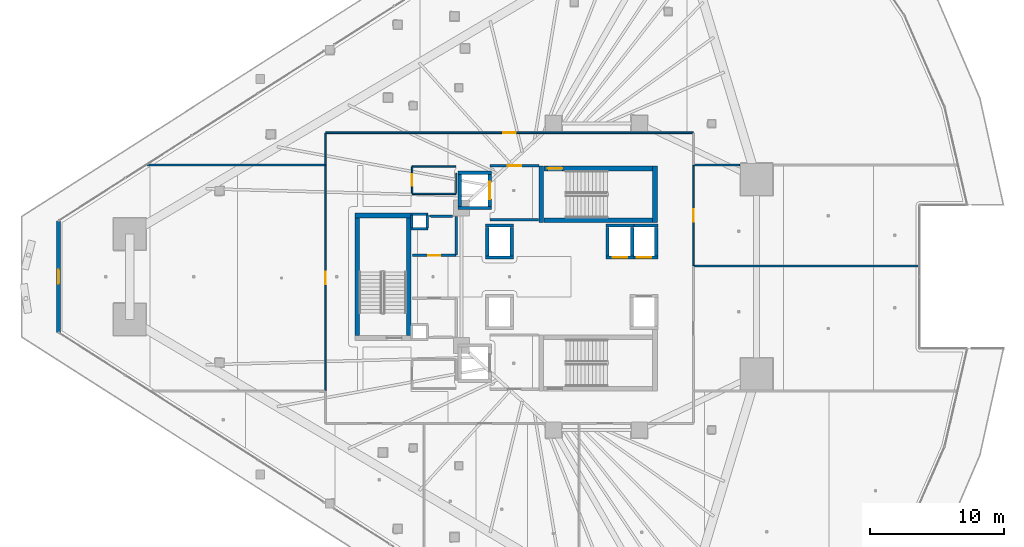
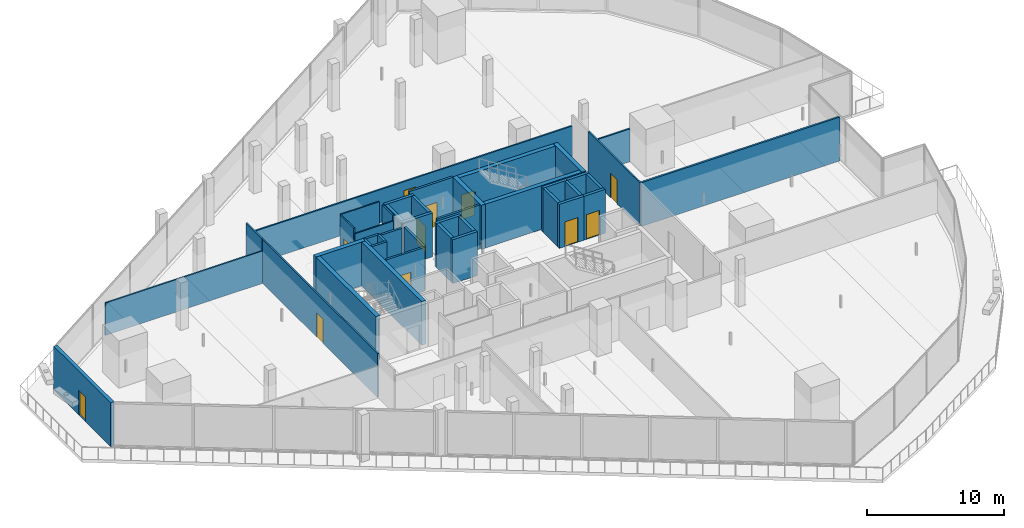
# One storey, part 29 of 44: 43 walls, 11 doors, 11 openings.
"""IFC4 building model written with IfcOpenShell, lengths in metres."""

from ifc_helpers import new_model, si_unit, direction, frame, frame_2d, origin, place, context, subcontext, project, spatial, rectangle, extrude, material, layer, layer_set, type_object, element, fill, save


model = new_model("IFC4")

# Units and contexts
model_context = context("Model", 3, precision=1e-05, world=origin(), true_north=direction((0.0, 1.0)))
body_context = subcontext(model_context, "Body", "Model", "MODEL_VIEW")
ifc_project = project(units=[si_unit("LENGTHUNIT", "METRE"), si_unit("AREAUNIT", "SQUARE_METRE"), si_unit("VOLUMEUNIT", "CUBIC_METRE"), si_unit("PLANEANGLEUNIT", "RADIAN"), si_unit("MASSUNIT", "GRAM", prefix="KILO")], contexts=[model_context])

# Site, building, storey
site_placement = place(None, origin())
site = spatial("IfcSite", under=ifc_project, at=site_placement, CompositionType="ELEMENT")
building_placement = place(site_placement, origin())
building = spatial("IfcBuilding", under=site, at=building_placement, Name="Qorvath Tower", CompositionType="ELEMENT")
storey_placement = place(building_placement, frame((0.0, 0.0, 40.800048828125)))
storey = spatial("IfcBuildingStorey", under=building, at=storey_placement, Name="L08", CompositionType="ELEMENT", Elevation=40.800048828125)

# Walls
ifc_material_1 = material(Name="Gypsum shaftliner on steel studs", Category="steel")
ifc_layer_1 = layer(ifc_material_1, 0.179931640625)
ifc_layer_set_1 = layer_set([ifc_layer_1], Name="FW-LOBBY")
wall_type_1 = type_object("IfcWallType", Name="FW-LOBBY", PredefinedType="PARTITIONING", material=ifc_layer_set_1)
for number, where, z_axis, x_axis, name in (
    (1, (-32.989990234375, 3.594970703125, 0.0), (0.0, 0.0, 1.0), (-1.0, 0.0, 0.0), "MEP Riser Shaft Enclosure Wall N-L08-S"),
    (2, (-34.260009765625, 4.675048828125, 0.0), (0.0, 0.0, 1.0), (1.0, 0.0, 0.0), "MEP Riser Shaft Enclosure Wall N-L08-N"),
):
    element("IfcWall", number, at=place(storey_placement, frame(where, z_axis=z_axis, x_axis=x_axis)), inside=storey, type_object=wall_type_1, Name=name, PredefinedType="PARTITIONING", context=body_context, shape_type="SweptSolid", body=[
        extrude(rectangle(XDim=1.27001953125, YDim=0.179931640625, at=frame_2d((0.635009765625, 0.0))), origin(), (0.0, 0.0, 1.0), 3.919921875),
    ])
for number, where, z_axis, x_axis, name in (
    (3, (-34.205078125, 3.659912109375, 0.0), (0.0, 0.0, 1.0), (0.0, 1.0, 0.0), "MEP Riser Shaft Enclosure Wall N-L08-W"),
    (4, (-33.044921875, 4.610107421875, 0.0), (0.0, 0.0, 1.0), (0.0, -1.0, 0.0), "MEP Riser Shaft Enclosure Wall N-L08-E"),
):
    element("IfcWall", number, at=place(storey_placement, frame(where, z_axis=z_axis, x_axis=x_axis)), inside=storey, type_object=wall_type_1, Name=name, PredefinedType="PARTITIONING", context=body_context, shape_type="SweptSolid", body=[
        extrude(rectangle(XDim=0.9501953125, YDim=0.179931640625, at=frame_2d((0.47509765625, 0.0))), origin(), (0.0, 0.0, 1.0), 3.919921875),
    ])
wall_1_placement = place(storey_placement, frame((-28.35498046875, 4.25, 0.0), z_axis=(0.0, 0.0, 1.0), x_axis=(1.0, 0.0, 0.0)))
element("IfcWall", 5, at=wall_1_placement, inside=storey, type_object=wall_type_1, Name="Interior Partition IW-T1-L08-001", PredefinedType="PARTITIONING", context=body_context, shape_type="SweptSolid", body=[
    extrude(rectangle(XDim=3.6220703125, YDim=0.179931640625, at=frame_2d((1.81103515625, 0.0))), origin(), (0.0, 0.0, 1.0), 3.919921875),
])

# Wall, opening, door
wall_2_placement = place(storey_placement, frame((-24.68408203125, 8.300048828125, 0.0), z_axis=(0.0, 0.0, 1.0), x_axis=(-1.0, 0.0, 0.0)))
wall_2 = element("IfcWall", 6, at=wall_2_placement, inside=storey, type_object=wall_type_1, Name="Interior Partition IW-T1-L08-002", PredefinedType="PARTITIONING", context=body_context, shape_type="SweptSolid", body=[
    extrude(rectangle(XDim=3.6708984375, YDim=0.179931640625, at=frame_2d((1.83544921875, 0.0))), origin(), (0.0, 0.0, 1.0), 3.919921875),
])
opening_1_placement = place(wall_2_placement, frame((1.33544921875, 0.0, 0.0)))
opening_1 = element("IfcOpeningElement", 7, at=opening_1_placement, cuts=wall_2, Name="Opening D-T1-L08-12", PredefinedType="OPENING", context=body_context, shape_type="SweptSolid", body=[
    extrude(rectangle(XDim=1.0, YDim=2.14990234375, at=frame_2d((0.5, 1.074951171875))), frame((0.0, 0.10009765625, 0.0), z_axis=(0.0, -1.0, 0.0), x_axis=(1.0, 0.0, 0.0)), (0.0, 0.0, 1.0), 0.199951171875),
])
ifc_material_2 = material(Name="Painted galvanised hollow metal", Category="steel")
door_type_1 = type_object("IfcDoorType", Name="FD-60", OperationType="NOTDEFINED", PredefinedType="DOOR", material=ifc_material_2)
door_1_placement = place(opening_1_placement, origin())
door_1 = element("IfcDoor", 8, at=door_1_placement, inside=storey, type_object=door_type_1, Name="Lobby Fire Service Elevator North Door D-T1-L08-12", OperationType="SINGLE_SWING_RIGHT", OverallHeight=2.14990234375, OverallWidth=1.0, PredefinedType="DOOR", context=body_context, shape_type="SweptSolid", body=[
    extrude(rectangle(XDim=1.0, YDim=2.14990234375, at=frame_2d((0.5, 1.074951171875))), frame((0.0, 0.02490234375, 0.0), z_axis=(0.0, -1.0, 0.0), x_axis=(1.0, 0.0, 0.0)), (0.0, 0.0, 1.0), 0.050048828125),
])
fill(opening_1, door_1)

wall_3_placement = place(storey_placement, frame((-34.15478515625, 1.60009765625, 0.0), z_axis=(0.0, 0.0, 1.0), x_axis=(1.0, 0.0, 0.0)))
wall_3 = element("IfcWall", 9, at=wall_3_placement, inside=storey, type_object=wall_type_1, Name="Interior Partition IW-T1-L08-013", PredefinedType="PARTITIONING", context=body_context, shape_type="SweptSolid", body=[
    extrude(rectangle(XDim=3.25, YDim=0.179931640625, at=frame_2d((1.625, 0.0))), origin(), (0.0, 0.0, 1.0), 3.919921875),
])
opening_2_placement = place(wall_3_placement, frame((1.18505859375, 0.0, 0.0)))
opening_2 = element("IfcOpeningElement", 10, at=opening_2_placement, cuts=wall_3, Name="Opening D-T1-L08-03", PredefinedType="OPENING", context=body_context, shape_type="SweptSolid", body=[
    extrude(rectangle(XDim=0.8798828125, YDim=2.10009765625, at=frame_2d((0.43994140625, 1.050048828125))), frame((0.0, 0.10009765625, 0.0), z_axis=(0.0, -1.0, 0.0), x_axis=(1.0, 0.0, 0.0)), (0.0, 0.0, 1.0), 0.199951171875),
])
ifc_material_3 = material(Name="Painted galvanised hollow metal", Category="steel")
door_type_2 = type_object("IfcDoorType", Name="FD-60N", OperationType="NOTDEFINED", PredefinedType="DOOR", material=ifc_material_3)
door_2_placement = place(opening_2_placement, origin())
door_2 = element("IfcDoor", 11, at=door_2_placement, inside=storey, type_object=door_type_2, Name="Core telecom and comms room L08 Door D-T1-L08-03", OperationType="SINGLE_SWING_LEFT", OverallHeight=2.10009765625, OverallWidth=0.8798828125, PredefinedType="DOOR", context=body_context, shape_type="SweptSolid", body=[
    extrude(rectangle(XDim=0.8798828125, YDim=2.10009765625, at=frame_2d((0.43994140625, 1.050048828125))), frame((0.0, 0.02490234375, 0.0), z_axis=(0.0, -1.0, 0.0), x_axis=(1.0, 0.0, 0.0)), (0.0, 0.0, 1.0), 0.050048828125),
])
fill(opening_2, door_2)

# Walls
wall_4_placement = place(storey_placement, frame((-30.8798828125, 1.625, 0.0), z_axis=(0.0, 0.0, 1.0), x_axis=(0.0, 1.0, 0.0)))
element("IfcWall", 12, at=wall_4_placement, inside=storey, type_object=wall_type_1, Name="Interior Partition IW-T1-L08-014", PredefinedType="PARTITIONING", context=body_context, shape_type="SweptSolid", body=[
    extrude(rectangle(XDim=2.860107421875, YDim=0.179931640625, at=frame_2d((1.43017578125, 0.0))), origin(), (0.0, 0.0, 1.0), 3.919921875),
])
wall_5_placement = place(storey_placement, frame((-31.1650390625, 4.5224609375, 0.0), z_axis=(0.0, 0.0, 1.0), x_axis=(-0.9999584918, 0.009111239105, 0.0)))
element("IfcWall", 13, at=wall_5_placement, inside=storey, type_object=wall_type_1, Name="Interior Partition IW-T1-L08-015", PredefinedType="PARTITIONING", context=body_context, shape_type="SweptSolid", body=[
    extrude(rectangle(XDim=1.71484375, YDim=0.179931640625, at=frame_2d((0.857421875, 0.0))), origin(), (0.0, 0.0, 1.0), 3.919921875),
])
ifc_material_4 = material(Name="Double acoustic gypsum board on steel studs", Category="steel")
ifc_layer_2 = layer(ifc_material_4, 0.159912109375)
ifc_layer_set_2 = layer_set([ifc_layer_2], Name="IW-ACOUSTIC-160")
wall_type_2 = type_object("IfcWallType", Name="IW-ACOUSTIC-160", PredefinedType="PARTITIONING", material=ifc_layer_set_2)
wall_6_placement = place(storey_placement, frame((3.6630859375, 0.791259765625, 0.0), z_axis=(0.0, 0.0, 1.0), x_axis=(-1.0, 0.0, 0.0)))
element("IfcWall", 14, at=wall_6_placement, inside=storey, type_object=wall_type_2, Name="Interior Partition IW-T1-L08-036", PredefinedType="PARTITIONING", context=body_context, shape_type="SweptSolid", body=[
    extrude(rectangle(XDim=16.7802734375, YDim=0.159912109375, at=frame_2d((8.39013671875, 0.0))), origin(), (0.0, 0.0, 1.0), 3.919921875),
])
ifc_material_5 = material(Name="Gypsum board on metal studs with mineral wool", Category="gypsum")
ifc_layer_3 = layer(ifc_material_5, 0.125)
ifc_layer_set_3 = layer_set([ifc_layer_3], Name="IW-PART-125")
wall_type_3 = type_object("IfcWallType", Name="IW-PART-125", PredefinedType="PARTITIONING", material=ifc_layer_set_3)
wall_7_placement = place(storey_placement, frame((-53.989990234375, 8.35009765625, 0.0), z_axis=(0.0, 0.0, 1.0), x_axis=(1.0, 0.0, 0.0)))
element("IfcWall", 15, at=wall_7_placement, inside=storey, type_object=wall_type_3, Name="Interior Partition IW-T1-L08-019", PredefinedType="PARTITIONING", context=body_context, shape_type="SweptSolid", body=[
    extrude(rectangle(XDim=13.306884765625, YDim=0.125, at=frame_2d((6.6533203125, 0.0))), origin(), (0.0, 0.0, 1.0), 2.889892578125),
])
wall_8_placement = place(storey_placement, frame((-40.657958984375, 10.733154296875, 0.0), z_axis=(0.0, 0.0, 1.0), x_axis=(0.0, -1.0, 0.0)))
element("IfcWall", 16, at=wall_8_placement, inside=storey, type_object=wall_type_3, Name="Interior Partition IW-T1-L08-020", PredefinedType="PARTITIONING", context=body_context, shape_type="SweptSolid", body=[
    extrude(rectangle(XDim=2.358154296875, YDim=0.125, at=frame_2d((1.17919921875, 0.0))), origin(), (0.0, 0.0, 1.0), 3.919921875),
])

# Wall, opening, door
wall_9_placement = place(storey_placement, frame((-40.633056640625, 10.758056640625, 0.0), z_axis=(0.0, 0.0, 1.0), x_axis=(1.0, 0.0, 0.0)))
wall_9 = element("IfcWall", 17, at=wall_9_placement, inside=storey, type_object=wall_type_3, Name="Interior Partition IW-T1-L08-021", PredefinedType="PARTITIONING", context=body_context, shape_type="SweptSolid", body=[
    extrude(rectangle(XDim=27.466064453125, YDim=0.125, at=frame_2d((13.73291015625, 0.0))), origin(), (0.0, 0.0, 1.0), 2.956787109375),
])
opening_3_placement = place(wall_9_placement, frame((13.258056640625, 0.0, 0.0)))
opening_3 = element("IfcOpeningElement", 18, at=opening_3_placement, cuts=wall_9, Name="Opening D-T1-L08-05", PredefinedType="OPENING", context=body_context, shape_type="SweptSolid", body=[
    extrude(rectangle(XDim=0.949951171875, YDim=2.14990234375, at=frame_2d((0.47509765625, 1.074951171875))), frame((0.0, 0.072509765625, 0.0), z_axis=(0.0, -1.0, 0.0), x_axis=(1.0, 0.0, 0.0)), (0.0, 0.0, 1.0), 0.14501953125),
])
ifc_material_6 = material(Name="Solid-core American white oak veneer", Category="wood")
door_type_3 = type_object("IfcDoorType", Name="D-01", OperationType="NOTDEFINED", PredefinedType="DOOR", material=ifc_material_6)
door_3_placement = place(opening_3_placement, origin())
door_3 = element("IfcDoor", 19, at=door_3_placement, inside=storey, type_object=door_type_3, Name="L08-01 Open Workplace Studio Door D-T1-L08-05", OperationType="SINGLE_SWING_LEFT", OverallHeight=2.14990234375, OverallWidth=0.949951171875, PredefinedType="DOOR", context=body_context, shape_type="SweptSolid", body=[
    extrude(rectangle(XDim=0.949951171875, YDim=2.14990234375, at=frame_2d((0.47509765625, 1.074951171875))), frame((0.0, 0.02490234375, 0.0), z_axis=(0.0, -1.0, 0.0), x_axis=(1.0, 0.0, 0.0)), (0.0, 0.0, 1.0), 0.050048828125),
])
fill(opening_3, door_3)

# Wall
wall_10_placement = place(storey_placement, frame((-13.1171875, 8.35009765625, 0.0), z_axis=(0.0, 0.0, 1.0), x_axis=(1.0, 0.0, 0.0)))
element("IfcWall", 20, at=wall_10_placement, inside=storey, type_object=wall_type_3, Name="Interior Partition IW-T1-L08-023", PredefinedType="PARTITIONING", context=body_context, shape_type="SweptSolid", body=[
    extrude(rectangle(XDim=3.421875, YDim=0.125, at=frame_2d((1.7109375, 0.0))), origin(), (0.0, 0.0, 1.0), 2.956787109375),
])

# Wall, opening, door
wall_11_placement = place(storey_placement, frame((-13.14208984375, 8.31689453125, 0.0), z_axis=(0.0, 0.0, 1.0), x_axis=(0.0, -1.0, 0.0)))
wall_11 = element("IfcWall", 21, at=wall_11_placement, inside=storey, type_object=wall_type_3, Name="Interior Partition IW-T1-L08-038", PredefinedType="PARTITIONING", context=body_context, shape_type="SweptSolid", body=[
    extrude(rectangle(XDim=7.49267578125, YDim=0.125, at=frame_2d((3.746337890625, 0.0))), origin(), (0.0, 0.0, 1.0), 3.919921875),
])
opening_4_placement = place(wall_11_placement, frame((3.271240234375, 0.0, 0.0)))
opening_4 = element("IfcOpeningElement", 22, at=opening_4_placement, cuts=wall_11, Name="Opening D-T1-L08-10", PredefinedType="OPENING", context=body_context, shape_type="SweptSolid", body=[
    extrude(rectangle(XDim=0.949951171875, YDim=2.14990234375, at=frame_2d((0.47509765625, 1.074951171875))), frame((0.0, 0.072509765625, 0.0), z_axis=(0.0, -1.0, 0.0), x_axis=(1.0, 0.0, 0.0)), (0.0, 0.0, 1.0), 0.14501953125),
])
door_4_placement = place(opening_4_placement, origin())
door_4 = element("IfcDoor", 23, at=door_4_placement, inside=storey, type_object=door_type_3, Name="L08-06 Design Pin-Up Atelier Door D-T1-L08-10", OperationType="SINGLE_SWING_RIGHT", OverallHeight=2.14990234375, OverallWidth=0.949951171875, PredefinedType="DOOR", context=body_context, shape_type="SweptSolid", body=[
    extrude(rectangle(XDim=0.949951171875, YDim=2.14990234375, at=frame_2d((0.47509765625, 1.074951171875))), frame((0.0, 0.02490234375, 0.0), z_axis=(0.0, -1.0, 0.0), x_axis=(1.0, 0.0, 0.0)), (0.0, 0.0, 1.0), 0.050048828125),
])
fill(opening_4, door_4)

wall_12_placement = place(storey_placement, frame((-40.657958984375, -8.51708984375, 0.0), z_axis=(0.0, 0.0, 1.0), x_axis=(0.0, 1.0, 0.0)))
wall_12 = element("IfcWall", 24, at=wall_12_placement, inside=storey, type_object=wall_type_3, Name="Interior Partition IW-T1-L08-039", PredefinedType="PARTITIONING", context=body_context, shape_type="SweptSolid", body=[
    extrude(rectangle(XDim=16.833984375, YDim=0.125, at=frame_2d((8.4169921875, 0.0))), origin(), (0.0, 0.0, 1.0), 3.919921875),
])
opening_5_placement = place(wall_12_placement, frame((7.94189453125, 0.0, 0.0)))
opening_5 = element("IfcOpeningElement", 25, at=opening_5_placement, cuts=wall_12, Name="Opening D-T1-L08-11", PredefinedType="OPENING", context=body_context, shape_type="SweptSolid", body=[
    extrude(rectangle(XDim=0.949951171875, YDim=2.14990234375, at=frame_2d((0.47509765625, 1.074951171875))), frame((0.0, 0.072509765625, 0.0), z_axis=(0.0, -1.0, 0.0), x_axis=(1.0, 0.0, 0.0)), (0.0, 0.0, 1.0), 0.14501953125),
])
door_5_placement = place(opening_5_placement, origin())
door_5 = element("IfcDoor", 26, at=door_5_placement, inside=storey, type_object=door_type_3, Name="L08-07 Executive Partner Office Door D-T1-L08-11", OperationType="SINGLE_SWING_LEFT", OverallHeight=2.14990234375, OverallWidth=0.949951171875, PredefinedType="DOOR", context=body_context, shape_type="SweptSolid", body=[
    extrude(rectangle(XDim=0.949951171875, YDim=2.14990234375, at=frame_2d((0.47509765625, 1.074951171875))), frame((0.0, 0.02490234375, 0.0), z_axis=(0.0, -1.0, 0.0), x_axis=(1.0, 0.0, 0.0)), (0.0, 0.0, 1.0), 0.050048828125),
])
fill(opening_5, door_5)

ifc_material_7 = material(Name="Moisture-resistant cement board on metal studs", Category="gypsum")
ifc_layer_4 = layer(ifc_material_7, 0.110107421875)
ifc_layer_set_4 = layer_set([ifc_layer_4], Name="IW-WC-110")
wall_type_4 = type_object("IfcWallType", Name="IW-WC-110", PredefinedType="PARTITIONING", material=ifc_layer_set_4)
wall_13_placement = place(storey_placement, frame((-34.179931640625, 8.22509765625, 0.0), z_axis=(0.0, 0.0, 1.0), x_axis=(0.0, -1.0, 0.0)))
wall_13 = element("IfcWall", 27, at=wall_13_placement, inside=storey, type_object=wall_type_4, Name="Interior Partition IW-T1-L08-005", PredefinedType="PARTITIONING", context=body_context, shape_type="SweptSolid", body=[
    extrude(rectangle(XDim=2.0, YDim=0.110107421875, at=frame_2d((1.0, 0.0))), origin(), (0.0, 0.0, 1.0), 3.919921875),
])
opening_6_placement = place(wall_13_placement, frame((0.56005859375, 0.0, 0.0)))
opening_6 = element("IfcOpeningElement", 28, at=opening_6_placement, cuts=wall_13, Name="Opening D-T1-L08-01", PredefinedType="OPENING", context=body_context, shape_type="SweptSolid", body=[
    extrude(rectangle(XDim=0.8798828125, YDim=2.10009765625, at=frame_2d((0.43994140625, 1.050048828125))), frame((0.0, 0.06494140625, 0.0), z_axis=(0.0, -1.0, 0.0), x_axis=(1.0, 0.0, 0.0)), (0.0, 0.0, 1.0), 0.130126953125),
])
ifc_material_8 = material(Name="Solid-core oak with acoustic drop seal", Category="wood")
door_type_4 = type_object("IfcDoorType", Name="D-02", OperationType="NOTDEFINED", PredefinedType="DOOR", material=ifc_material_8)
door_6_placement = place(opening_6_placement, origin())
door_6 = element("IfcDoor", 29, at=door_6_placement, inside=storey, type_object=door_type_4, Name="WC All-Gender North L08 Door D-T1-L08-01", OperationType="SINGLE_SWING_LEFT", OverallHeight=2.10009765625, OverallWidth=0.8798828125, PredefinedType="DOOR", context=body_context, shape_type="SweptSolid", body=[
    extrude(rectangle(XDim=0.8798828125, YDim=2.10009765625, at=frame_2d((0.43994140625, 1.050048828125))), frame((0.0, 0.02490234375, 0.0), z_axis=(0.0, -1.0, 0.0), x_axis=(1.0, 0.0, 0.0)), (0.0, 0.0, 1.0), 0.050048828125),
])
fill(opening_6, door_6)

# Walls
wall_14_placement = place(storey_placement, frame((-34.15478515625, 6.199951171875, 0.0), z_axis=(0.0, 0.0, 1.0), x_axis=(1.0, 0.0, 0.0)))
element("IfcWall", 30, at=wall_14_placement, inside=storey, type_object=wall_type_4, Name="Interior Partition IW-T1-L08-006", PredefinedType="PARTITIONING", context=body_context, shape_type="SweptSolid", body=[
    extrude(rectangle(XDim=3.25, YDim=0.110107421875, at=frame_2d((1.625, 0.0))), origin(), (0.0, 0.0, 1.0), 3.432861328125),
])
wall_15_placement = place(storey_placement, frame((-30.8798828125, 6.22509765625, 0.0), z_axis=(0.0, 0.0, 1.0), x_axis=(0.0, 1.0, 0.0)))
element("IfcWall", 31, at=wall_15_placement, inside=storey, type_object=wall_type_4, Name="Interior Partition IW-T1-L08-007", PredefinedType="PARTITIONING", context=body_context, shape_type="SweptSolid", body=[
    extrude(rectangle(XDim=1.517822265625, YDim=0.110107421875, at=frame_2d((0.7587890625, 0.0))), origin(), (0.0, 0.0, 1.0), 3.919921875),
])
wall_16_placement = place(storey_placement, frame((-30.90478515625, 8.25, 0.0), z_axis=(0.0, 0.0, 1.0), x_axis=(-1.0, 0.0, 0.0)))
element("IfcWall", 32, at=wall_16_placement, inside=storey, type_object=wall_type_4, Name="Interior Partition IW-T1-L08-008", PredefinedType="PARTITIONING", context=body_context, shape_type="SweptSolid", body=[
    extrude(rectangle(XDim=3.25, YDim=0.110107421875, at=frame_2d((1.625, 0.0))), origin(), (0.0, 0.0, 1.0), 3.919921875),
])
ifc_material_9 = material(Name="Concrete C60/75", Category="concrete")
ifc_layer_5 = layer(ifc_material_9, 0.260009765625)
ifc_layer_set_5 = layer_set([ifc_layer_5], Name="SW-SHAFT")
wall_type_5 = type_object("IfcWallType", Name="SW-SHAFT", PredefinedType="SHEAR", material=ifc_layer_set_5)
for number, where, z_axis, x_axis, name in (
    (33, (-28.260009765625, 5.1298828125, 0.0), (0.0, 0.0, 1.0), (-1.0, 0.0, 0.0), "Hoistway Wall FSAE-1 L08 S"),
    (34, (-30.739990234375, 7.77001953125, 0.0), (0.0, 0.0, 1.0), (1.0, 0.0, 0.0), "Hoistway Wall FSAE-1 L08 N"),
):
    element("IfcWall", number, at=place(storey_placement, frame(where, z_axis=z_axis, x_axis=x_axis)), inside=storey, type_object=wall_type_5, Name=name, PredefinedType="SHEAR", context=body_context, shape_type="SweptSolid", body=[
        extrude(rectangle(XDim=2.47998046875, YDim=0.239990234375, at=frame_2d((1.239990234375, 0.0))), origin(), (0.0, 0.0, 1.0), 3.919921875),
    ])
wall_17_placement = place(storey_placement, frame((-30.6201171875, 5.261962890625, 0.0), z_axis=(0.0, 0.0, 1.0), x_axis=(0.0, 1.0, 0.0)))
element("IfcWall", 35, at=wall_17_placement, inside=storey, type_object=wall_type_5, Name="Hoistway Wall FSAE-1 L08 W", PredefinedType="SHEAR", context=body_context, shape_type="SweptSolid", body=[
    extrude(rectangle(XDim=2.3759765625, YDim=0.239990234375, at=frame_2d((1.18798828125, 0.0))), origin(), (0.0, 0.0, 1.0), 3.919921875),
])

# Wall, opening, door
wall_18_placement = place(storey_placement, frame((-28.3798828125, 7.637939453125, 0.0), z_axis=(0.0, 0.0, 1.0), x_axis=(0.0, -1.0, 0.0)))
wall_18 = element("IfcWall", 36, at=wall_18_placement, inside=storey, type_object=wall_type_5, Name="Hoistway Wall FSAE-1 L08 E", PredefinedType="SHEAR", context=body_context, shape_type="SweptSolid", body=[
    extrude(rectangle(XDim=2.3759765625, YDim=0.239990234375, at=frame_2d((1.18798828125, 0.0))), origin(), (0.0, 0.0, 1.0), 3.919921875),
])
opening_7_placement = place(wall_18_placement, frame((0.537841796875, 0.0, 0.0)))
opening_7 = element("IfcOpeningElement", 37, at=opening_7_placement, cuts=wall_18, Name="Opening LD-FSAE-1-L08", PredefinedType="OPENING", context=body_context, shape_type="SweptSolid", body=[
    extrude(rectangle(XDim=1.300048828125, YDim=2.300048828125, at=frame_2d((0.64990234375, 1.14990234375))), frame((0.0, 0.1298828125, 0.0), z_axis=(0.0, -1.0, 0.0), x_axis=(1.0, 0.0, 0.0)), (0.0, 0.0, 1.0), 0.260009765625),
])
ifc_material_10 = material(Name="Brushed stainless steel AISI 316", Category="steel")
door_type_5 = type_object("IfcDoorType", Name="LD-02", OperationType="NOTDEFINED", PredefinedType="DOOR", material=ifc_material_10)
door_7_placement = place(opening_7_placement, origin())
door_7 = element("IfcDoor", 38, at=door_7_placement, inside=storey, type_object=door_type_5, Name="Elevator Landing Sliding Door LD-FSAE-1-L08", OperationType="DOUBLE_DOOR_SLIDING", OverallHeight=2.300048828125, OverallWidth=1.300048828125, PredefinedType="DOOR", context=body_context, shape_type="SweptSolid", body=[
    extrude(rectangle(XDim=1.300048828125, YDim=2.300048828125, at=frame_2d((0.64990234375, 1.14990234375))), frame((0.0, 0.02490234375, 0.0), z_axis=(0.0, -1.0, 0.0), x_axis=(1.0, 0.0, 0.0)), (0.0, 0.0, 1.0), 0.050048828125),
])
fill(opening_7, door_7)

# Walls
for number, where, z_axis, x_axis, name in (
    (39, (-26.610107421875, 1.429931640625, 0.0), (0.0, 0.0, 1.0), (-1.0, 0.0, 0.0), "Hoistway Wall PS-1 L08 S"),
    (40, (-28.68994140625, 3.820068359375, 0.0), (0.0, 0.0, 1.0), (1.0, 0.0, 0.0), "Hoistway Wall PS-1 L08 N"),
):
    element("IfcWall", number, at=place(storey_placement, frame(where, z_axis=z_axis, x_axis=x_axis)), inside=storey, type_object=wall_type_5, Name=name, PredefinedType="SHEAR", context=body_context, shape_type="SweptSolid", body=[
        extrude(rectangle(XDim=2.079833984375, YDim=0.239990234375, at=frame_2d((1.0400390625, 0.0))), origin(), (0.0, 0.0, 1.0), 3.919921875),
    ])
for number, where, z_axis, x_axis, name in (
    (41, (-28.570068359375, 1.56201171875, 0.0), (0.0, 0.0, 1.0), (0.0, 1.0, 0.0), "Hoistway Wall PS-1 L08 W"),
    (42, (-26.72998046875, 3.68798828125, 0.0), (0.0, 0.0, 1.0), (0.0, -1.0, 0.0), "Hoistway Wall PS-1 L08 E"),
):
    element("IfcWall", number, at=place(storey_placement, frame(where, z_axis=z_axis, x_axis=x_axis)), inside=storey, type_object=wall_type_5, Name=name, PredefinedType="SHEAR", context=body_context, shape_type="SweptSolid", body=[
        extrude(rectangle(XDim=2.1259765625, YDim=0.239990234375, at=frame_2d((1.06298828125, 0.0))), origin(), (0.0, 0.0, 1.0), 3.919921875),
    ])

# Wall, opening, door
wall_19_placement = place(storey_placement, frame((-17.610107421875, 1.429931640625, 0.0), z_axis=(0.0, 0.0, 1.0), x_axis=(-1.0, 0.0, 0.0)))
wall_19 = element("IfcWall", 43, at=wall_19_placement, inside=storey, type_object=wall_type_5, Name="Hoistway Wall PL-1 L08 S", PredefinedType="SHEAR", context=body_context, shape_type="SweptSolid", body=[
    extrude(rectangle(XDim=2.079833984375, YDim=0.239990234375, at=frame_2d((1.0400390625, 0.0))), origin(), (0.0, 0.0, 1.0), 3.919921875),
])
opening_8_placement = place(wall_19_placement, frame((0.48974609375, 0.0, 0.0)))
opening_8 = element("IfcOpeningElement", 44, at=opening_8_placement, cuts=wall_19, Name="Opening LD-PL-1-L08", PredefinedType="OPENING", context=body_context, shape_type="SweptSolid", body=[
    extrude(rectangle(XDim=1.10009765625, YDim=2.199951171875, at=frame_2d((0.550048828125, 1.10009765625))), frame((0.0, 0.1298828125, 0.0), z_axis=(0.0, -1.0, 0.0), x_axis=(1.0, 0.0, 0.0)), (0.0, 0.0, 1.0), 0.260009765625),
])
ifc_material_11 = material(Name="Brushed stainless steel AISI 316", Category="steel")
door_type_6 = type_object("IfcDoorType", Name="LD-01", OperationType="NOTDEFINED", PredefinedType="DOOR", material=ifc_material_11)
door_8_placement = place(opening_8_placement, origin())
door_8 = element("IfcDoor", 45, at=door_8_placement, inside=storey, type_object=door_type_6, Name="Elevator Landing Sliding Door LD-PL-1-L08", OperationType="DOUBLE_DOOR_SLIDING", OverallHeight=2.199951171875, OverallWidth=1.10009765625, PredefinedType="DOOR", context=body_context, shape_type="SweptSolid", body=[
    extrude(rectangle(XDim=1.10009765625, YDim=2.199951171875, at=frame_2d((0.550048828125, 1.10009765625))), frame((0.0, 0.02490234375, 0.0), z_axis=(0.0, -1.0, 0.0), x_axis=(1.0, 0.0, 0.0)), (0.0, 0.0, 1.0), 0.050048828125),
])
fill(opening_8, door_8)

# Walls
wall_20_placement = place(storey_placement, frame((-19.68994140625, 3.820068359375, 0.0), z_axis=(0.0, 0.0, 1.0), x_axis=(1.0, 0.0, 0.0)))
element("IfcWall", 46, at=wall_20_placement, inside=storey, type_object=wall_type_5, Name="Hoistway Wall PL-1 L08 N", PredefinedType="SHEAR", context=body_context, shape_type="SweptSolid", body=[
    extrude(rectangle(XDim=2.079833984375, YDim=0.239990234375, at=frame_2d((1.0400390625, 0.0))), origin(), (0.0, 0.0, 1.0), 3.919921875),
])
for number, where, z_axis, x_axis, name in (
    (47, (-19.570068359375, 1.56201171875, 0.0), (0.0, 0.0, 1.0), (0.0, 1.0, 0.0), "Hoistway Wall PL-1 L08 W"),
    (48, (-17.72998046875, 3.68798828125, 0.0), (0.0, 0.0, 1.0), (0.0, -1.0, 0.0), "Hoistway Wall PL-1 L08 E"),
):
    element("IfcWall", number, at=place(storey_placement, frame(where, z_axis=z_axis, x_axis=x_axis)), inside=storey, type_object=wall_type_5, Name=name, PredefinedType="SHEAR", context=body_context, shape_type="SweptSolid", body=[
        extrude(rectangle(XDim=2.1259765625, YDim=0.239990234375, at=frame_2d((1.06298828125, 0.0))), origin(), (0.0, 0.0, 1.0), 3.919921875),
    ])

# Wall, opening, door
wall_21_placement = place(storey_placement, frame((-15.81005859375, 1.429931640625, 0.0), z_axis=(0.0, 0.0, 1.0), x_axis=(-1.0, 0.0, 0.0)))
wall_21 = element("IfcWall", 49, at=wall_21_placement, inside=storey, type_object=wall_type_5, Name="Hoistway Wall PL-3 L08 S", PredefinedType="SHEAR", context=body_context, shape_type="SweptSolid", body=[
    extrude(rectangle(XDim=1.800048828125, YDim=0.239990234375, at=frame_2d((0.89990234375, 0.0))), origin(), (0.0, 0.0, 1.0), 3.919921875),
])
opening_9_placement = place(wall_21_placement, frame((0.489990234375, 0.0, 0.0)))
opening_9 = element("IfcOpeningElement", 50, at=opening_9_placement, cuts=wall_21, Name="Opening LD-PL-3-L08", PredefinedType="OPENING", context=body_context, shape_type="SweptSolid", body=[
    extrude(rectangle(XDim=1.10009765625, YDim=2.199951171875, at=frame_2d((0.550048828125, 1.10009765625))), frame((0.0, 0.1298828125, 0.0), z_axis=(0.0, -1.0, 0.0), x_axis=(1.0, 0.0, 0.0)), (0.0, 0.0, 1.0), 0.260009765625),
])
door_9_placement = place(opening_9_placement, origin())
door_9 = element("IfcDoor", 51, at=door_9_placement, inside=storey, type_object=door_type_6, Name="Elevator Landing Sliding Door LD-PL-3-L08", OperationType="DOUBLE_DOOR_SLIDING", OverallHeight=2.199951171875, OverallWidth=1.10009765625, PredefinedType="DOOR", context=body_context, shape_type="SweptSolid", body=[
    extrude(rectangle(XDim=1.10009765625, YDim=2.199951171875, at=frame_2d((0.550048828125, 1.10009765625))), frame((0.0, 0.02490234375, 0.0), z_axis=(0.0, -1.0, 0.0), x_axis=(1.0, 0.0, 0.0)), (0.0, 0.0, 1.0), 0.050048828125),
])
fill(opening_9, door_9)

# Walls
wall_22_placement = place(storey_placement, frame((-17.610107421875, 3.820068359375, 0.0), z_axis=(0.0, 0.0, 1.0), x_axis=(1.0, 0.0, 0.0)))
element("IfcWall", 52, at=wall_22_placement, inside=storey, type_object=wall_type_5, Name="Hoistway Wall PL-3 L08 N", PredefinedType="SHEAR", context=body_context, shape_type="SweptSolid", body=[
    extrude(rectangle(XDim=1.800048828125, YDim=0.239990234375, at=frame_2d((0.89990234375, 0.0))), origin(), (0.0, 0.0, 1.0), 3.919921875),
])
wall_23_placement = place(storey_placement, frame((-15.929931640625, 3.68798828125, 0.0), z_axis=(0.0, 0.0, 1.0), x_axis=(0.0, -1.0, 0.0)))
element("IfcWall", 53, at=wall_23_placement, inside=storey, type_object=wall_type_5, Name="Hoistway Wall PL-3 L08 E", PredefinedType="SHEAR", context=body_context, shape_type="SweptSolid", body=[
    extrude(rectangle(XDim=2.1259765625, YDim=0.239990234375, at=frame_2d((1.06298828125, 0.0))), origin(), (0.0, 0.0, 1.0), 3.919921875),
])
ifc_material_12 = material(Name="Concrete C60/75", Category="concrete")
ifc_layer_6 = layer(ifc_material_12, 0.35009765625)
ifc_layer_set_6 = layer_set([ifc_layer_6], Name="SW-STAIR")
wall_type_6 = type_object("IfcWallType", Name="SW-STAIR", PredefinedType="SHEAR", material=ifc_layer_set_6)
for number, where, z_axis, x_axis, name in (
    (54, (-24.52490234375, 8.260009765625, 0.0), (0.0, 0.0, 1.0), (0.0, -1.0, 0.0), "Stair TS1 Shear Wall L08 NEAR"),
    (55, (-16.02490234375, 4.050048828125, 0.0), (0.0, 0.0, 1.0), (0.0, 1.0, 0.0), "Stair TS1 Shear Wall L08 FAR"),
):
    element("IfcWall", number, at=place(storey_placement, frame(where, z_axis=z_axis, x_axis=x_axis)), inside=storey, type_object=wall_type_6, Name=name, PredefinedType="SHEAR", context=body_context, shape_type="SweptSolid", body=[
        extrude(rectangle(XDim=4.2099609375, YDim=0.35009765625, at=frame_2d((2.10498046875, 0.0))), origin(), (0.0, 0.0, 1.0), 3.919921875),
    ])
wall_24_placement = place(storey_placement, frame((-24.3349609375, 4.22509765625, 0.0), z_axis=(0.0, 0.0, 1.0), x_axis=(1.0, 0.0, 0.0)))
element("IfcWall", 56, at=wall_24_placement, inside=storey, type_object=wall_type_6, Name="Stair TS1 Shear Wall L08 LEFT", PredefinedType="SHEAR", context=body_context, shape_type="SweptSolid", body=[
    extrude(rectangle(XDim=8.119873046875, YDim=0.35009765625, at=frame_2d((4.06005859375, 0.0))), origin(), (0.0, 0.0, 1.0), 3.919921875),
])

# Wall, opening, door
wall_25_placement = place(storey_placement, frame((-16.215087890625, 8.0849609375, 0.0), z_axis=(0.0, 0.0, 1.0), x_axis=(-1.0, 0.0, 0.0)))
wall_25 = element("IfcWall", 57, at=wall_25_placement, inside=storey, type_object=wall_type_6, Name="Stair TS1 Shear Wall L08 RIGHT", PredefinedType="SHEAR", context=body_context, shape_type="SweptSolid", body=[
    extrude(rectangle(XDim=8.119873046875, YDim=0.35009765625, at=frame_2d((4.06005859375, 0.0))), origin(), (0.0, 0.0, 1.0), 3.919921875),
])
opening_10_placement = place(wall_25_placement, frame((6.739990234375, 0.0, 0.0)))
opening_10 = element("IfcOpeningElement", 58, at=opening_10_placement, cuts=wall_25, Name="Opening D-TS1-L08", PredefinedType="OPENING", context=body_context, shape_type="SweptSolid", body=[
    extrude(rectangle(XDim=1.10009765625, YDim=2.199951171875, at=frame_2d((0.550048828125, 1.10009765625))), frame((0.0, 0.18505859375, 0.0), z_axis=(0.0, -1.0, 0.0), x_axis=(1.0, 0.0, 0.0)), (0.0, 0.0, 1.0), 0.3701171875),
])
ifc_material_13 = material(Name="Painted galvanised hollow metal", Category="steel")
door_type_7 = type_object("IfcDoorType", Name="FD-90", OperationType="NOTDEFINED", PredefinedType="DOOR", material=ifc_material_13)
door_10_placement = place(opening_10_placement, origin())
door_10 = element("IfcDoor", 59, at=door_10_placement, inside=storey, type_object=door_type_7, Name="Stair TS1 Fire Door L08", OperationType="SINGLE_SWING_LEFT", OverallHeight=2.199951171875, OverallWidth=1.10009765625, PredefinedType="DOOR", context=body_context, shape_type="SweptSolid", body=[
    extrude(rectangle(XDim=1.10009765625, YDim=2.199951171875, at=frame_2d((0.550048828125, 1.10009765625))), frame((0.0, 0.02490234375, 0.0), z_axis=(0.0, -1.0, 0.0), x_axis=(1.0, 0.0, 0.0)), (0.0, 0.0, 1.0), 0.050048828125),
])
fill(opening_10, door_10)

# Walls
wall_26_placement = place(storey_placement, frame((-34.25, 4.574951171875, 0.0), z_axis=(0.0, 0.0, 1.0), x_axis=(-1.0, 0.0, 0.0)))
element("IfcWall", 60, at=wall_26_placement, inside=storey, type_object=wall_type_6, Name="Stair TS3 Shear Wall L08 FAR", PredefinedType="SHEAR", context=body_context, shape_type="SweptSolid", body=[
    extrude(rectangle(XDim=4.2099609375, YDim=0.35009765625, at=frame_2d((2.10498046875, 0.0))), origin(), (0.0, 0.0, 1.0), 3.919921875),
])
for number, where, z_axis, x_axis, name in (
    (61, (-34.425048828125, -4.385009765625, 0.0), (0.0, 0.0, 1.0), (0.0, 1.0, 0.0), "Stair TS3 Shear Wall L08 LEFT"),
    (62, (-38.284912109375, 4.385009765625, 0.0), (0.0, 0.0, 1.0), (0.0, -1.0, 0.0), "Stair TS3 Shear Wall L08 RIGHT"),
):
    element("IfcWall", number, at=place(storey_placement, frame(where, z_axis=z_axis, x_axis=x_axis)), inside=storey, type_object=wall_type_6, Name=name, PredefinedType="SHEAR", context=body_context, shape_type="SweptSolid", body=[
        extrude(rectangle(XDim=8.77001953125, YDim=0.35009765625, at=frame_2d((4.385009765625, 0.0))), origin(), (0.0, 0.0, 1.0), 3.919921875),
    ])

# Wall, opening, door
ifc_material_14 = material(Name="Precast concrete C45/55", Category="concrete")
ifc_layer_7 = layer(ifc_material_14, 0.300048828125)
ifc_layer_set_7 = layer_set([ifc_layer_7], Name="WL-EW-LOG-300")
wall_type_7 = type_object("IfcWallType", Name="WL-EW-LOG-300", PredefinedType="SOLIDWALL", material=ifc_layer_set_7)
wall_27_placement = place(storey_placement, frame((-60.60107421875, -4.176025390625, 0.0), z_axis=(0.0, 0.0, 1.0), x_axis=(0.0, 1.0, 0.0)))
wall_27 = element("IfcWall", 63, at=wall_27_placement, inside=storey, type_object=wall_type_7, Name="Tower Precast Loggia Wall L08-1.1", PredefinedType="SOLIDWALL", context=body_context, shape_type="SweptSolid", body=[
    extrude(rectangle(XDim=8.35205078125, YDim=0.300048828125, at=frame_2d((4.176025390625, 0.0))), origin(), (0.0, 0.0, 1.0), 3.919921875),
])
opening_11_placement = place(wall_27_placement, frame((3.65087890625, 0.0, 0.0)))
opening_11 = element("IfcOpeningElement", 64, at=opening_11_placement, cuts=wall_27, Name="Opening ED-L08-01", PredefinedType="OPENING", context=body_context, shape_type="SweptSolid", body=[
    extrude(rectangle(XDim=1.050048828125, YDim=2.199951171875, at=frame_2d((0.52490234375, 1.10009765625))), frame((0.0, 0.16015625, 0.0), z_axis=(0.0, -1.0, 0.0), x_axis=(1.0, 0.0, 0.0)), (0.0, 0.0, 1.0), 0.320068359375),
])
ifc_material_15 = material(Name="Thermally broken aluminium glazed door", Category="aluminium")
door_type_8 = type_object("IfcDoorType", Name="ED-LOG", OperationType="NOTDEFINED", PredefinedType="DOOR", material=ifc_material_15)
door_11_placement = place(opening_11_placement, origin())
door_11 = element("IfcDoor", 65, at=door_11_placement, inside=storey, type_object=door_type_8, Name="L08 Recessed Loggia Access Door 1", OperationType="SINGLE_SWING_LEFT", OverallHeight=2.199951171875, OverallWidth=1.050048828125, PredefinedType="DOOR", context=body_context, shape_type="SweptSolid", body=[
    extrude(rectangle(XDim=1.050048828125, YDim=2.199951171875, at=frame_2d((0.52490234375, 1.10009765625))), frame((0.0, 0.02490234375, 0.0), z_axis=(0.0, -1.0, 0.0), x_axis=(1.0, 0.0, 0.0)), (0.0, 0.0, 1.0), 0.050048828125),
])
fill(opening_11, door_11)

save(model, "model.ifc")
